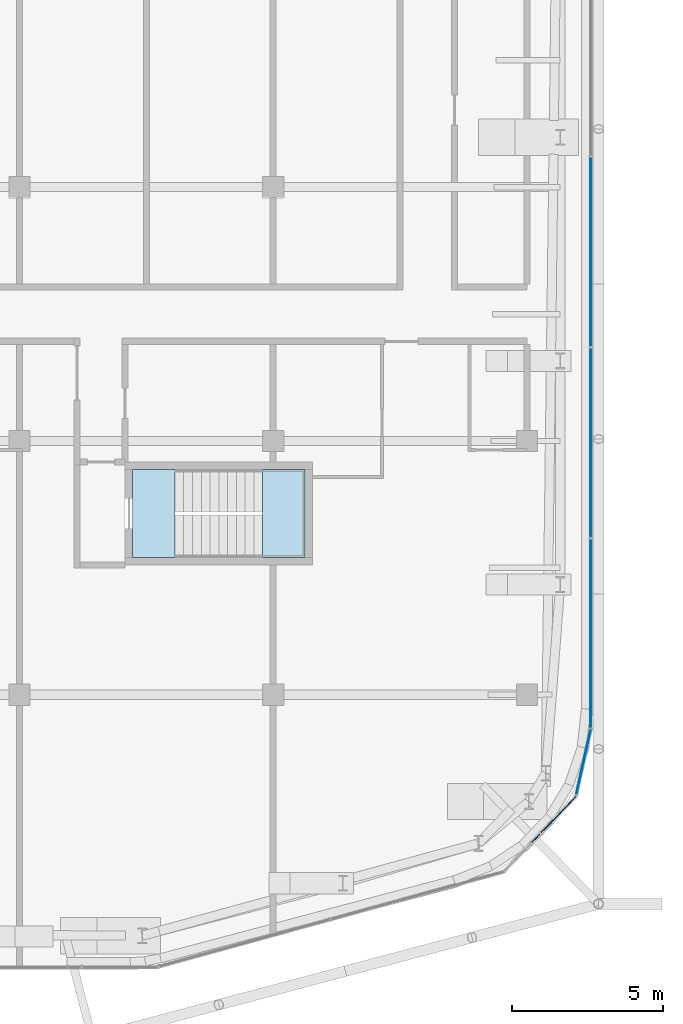
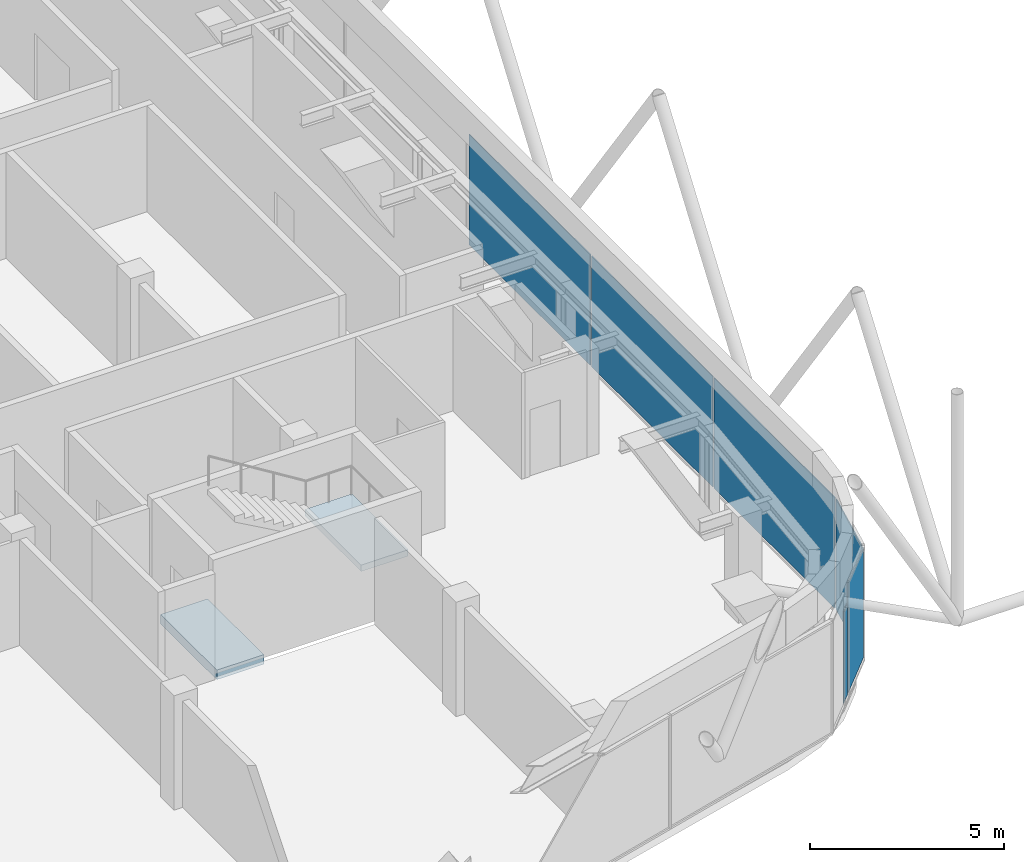
# One storey, part 16 of 25: 6 plates, 2 slabs, 5 elements without a shape of their own.
"""IFC4 building model written with IfcOpenShell, lengths in metres."""

from ifc_helpers import new_model, si_unit, direction, frame, origin, origin_2d, place, context, subcontext, project, spatial, polyline, rectangle, outline, extrude, material, layer, layer_set, type_object, element, aggregate, save


model = new_model("IFC4")

# Units and contexts
model_context = context("Model", 3, precision=1e-05, world=origin(), true_north=direction((0.0, 1.0)))
body_context = subcontext(model_context, "Body", "Model", "MODEL_VIEW")
ifc_project = project(units=[si_unit("LENGTHUNIT", "METRE"), si_unit("AREAUNIT", "SQUARE_METRE"), si_unit("VOLUMEUNIT", "CUBIC_METRE"), si_unit("PLANEANGLEUNIT", "RADIAN"), si_unit("MASSUNIT", "GRAM", prefix="KILO")], contexts=[model_context])

# Site, building, storey
site_placement = place(None, origin())
site = spatial("IfcSite", under=ifc_project, at=site_placement, CompositionType="ELEMENT")
building_placement = place(site_placement, origin())
building = spatial("IfcBuilding", under=site, at=building_placement, Name="Marenta Gate Hotel Tower", CompositionType="ELEMENT")
storey_placement = place(building_placement, frame((0.0, 0.0, 277.699951171875)))
storey = spatial("IfcBuildingStorey", under=building, at=storey_placement, Name="L64", CompositionType="ELEMENT", Elevation=277.699951171875)

# Curtain wall, plate
ifc_material_1 = material(Name="Tinted insulated glass in bronze anodised frame", Category="glass")
ifc_layer_1 = layer(ifc_material_1, 0.1201171875)
ifc_layer_set_1 = layer_set([ifc_layer_1], Name="Tinted insulated glass in bronze anodised frame")
curtain_wall_type = type_object("IfcCurtainWallType", Name="Tower unitised curtain wall CW1", PredefinedType="NOTDEFINED", material=ifc_layer_set_1)
curtain_wall_1_placement = place(storey_placement, origin())
curtain_wall_1 = element("IfcCurtainWall", 1, at=curtain_wall_1_placement, inside=storey, type_object=curtain_wall_type, Name="CW1 run G17", PredefinedType="NOTDEFINED")
ifc_material_2 = material(Name="Tinted insulated glass", Category="glass")
ifc_layer_2 = layer(ifc_material_2, 0.028076171875)
ifc_layer_set_2 = layer_set([ifc_layer_2], Name="Tinted insulated glass")
plate_type = type_object("IfcPlateType", Name="Glass panel CW1 28 mm tinted insulated unit", PredefinedType="CURTAIN_PANEL", material=ifc_layer_set_2)
plate_1_placement = place(storey_placement, frame((21.292724609375, -29.94921875, 0.06005859375), z_axis=(0.0, 0.0, 1.0), x_axis=(0.692508866302, 0.721409363741, 0.0)))
plate_1 = element("IfcPlate", 2, at=plate_1_placement, type_object=plate_type, Name="CW1 panel 1.1", PredefinedType="CURTAIN_PANEL", context=body_context, shape_type="SweptSolid", body=[
    extrude(rectangle(XDim=0.393310546875, YDim=0.028076171875, at=origin_2d()), origin(), (0.0, 0.0, 1.0), 2.880615234375),
])
aggregate(curtain_wall_1, [plate_1])

curtain_wall_2_placement = place(storey_placement, origin())
curtain_wall_2 = element("IfcCurtainWall", 3, at=curtain_wall_2_placement, inside=storey, type_object=curtain_wall_type, Name="CW1 run G18", PredefinedType="NOTDEFINED")
plate_2_placement = place(storey_placement, frame((22.04541015625, -29.165283203125, 0.06005859375), z_axis=(0.0, 0.0, 1.0), x_axis=(0.692571762206, 0.721348982251, 0.0)))
plate_2 = element("IfcPlate", 4, at=plate_2_placement, type_object=plate_type, Name="CW1 panel 1.1", PredefinedType="CURTAIN_PANEL", context=body_context, shape_type="SweptSolid", body=[
    extrude(rectangle(XDim=1.66015625, YDim=0.028076171875, at=origin_2d()), origin(), (0.0, 0.0, 1.0), 3.47998046875),
])
aggregate(curtain_wall_2, [plate_2])

curtain_wall_3_placement = place(storey_placement, origin())
curtain_wall_3 = element("IfcCurtainWall", 5, at=curtain_wall_3_placement, inside=storey, type_object=curtain_wall_type, Name="CW1 run G19", PredefinedType="NOTDEFINED")
plate_3_placement = place(storey_placement, frame((22.873779296875, -27.42578125, 0.06005859375), z_axis=(0.0, 0.0, 1.0), x_axis=(0.216842096529, 0.97620669183, 0.0)))
plate_3 = element("IfcPlate", 6, at=plate_3_placement, type_object=plate_type, Name="CW1 panel 1.1", PredefinedType="CURTAIN_PANEL", context=body_context, shape_type="SweptSolid", body=[
    extrude(rectangle(XDim=2.216796875, YDim=0.028076171875, at=origin_2d()), origin(), (0.0, 0.0, 1.0), 3.47998046875),
])
aggregate(curtain_wall_3, [plate_3])

# Curtain wall, plates
curtain_wall_4_placement = place(storey_placement, origin())
curtain_wall_4 = element("IfcCurtainWall", 7, at=curtain_wall_4_placement, inside=storey, type_object=curtain_wall_type, Name="CW1 run G20", PredefinedType="NOTDEFINED")
plate_4_placement = place(storey_placement, frame((23.114013671875, -23.16748046875, 0.06005859375), z_axis=(0.0, 0.0, 1.0), x_axis=(0.0, 1.0, 0.0)))
plate_4 = element("IfcPlate", 8, at=plate_4_placement, type_object=plate_type, Name="CW1 panel 1.1", PredefinedType="CURTAIN_PANEL", context=body_context, shape_type="SweptSolid", body=[
    extrude(rectangle(XDim=6.232666015625, YDim=0.028076171875, at=origin_2d()), origin(), (0.0, 0.0, 1.0), 3.47998046875),
])
plate_5_placement = place(storey_placement, frame((23.114013671875, -16.85986328125, 0.06005859375), z_axis=(0.0, 0.0, 1.0), x_axis=(0.0, 1.0, 0.0)))
plate_5 = element("IfcPlate", 9, at=plate_5_placement, type_object=plate_type, Name="CW1 panel 2.1", PredefinedType="CURTAIN_PANEL", context=body_context, shape_type="SweptSolid", body=[
    extrude(rectangle(XDim=6.2626953125, YDim=0.028076171875, at=origin_2d()), origin(), (0.0, 0.0, 1.0), 3.47998046875),
])
plate_6_placement = place(storey_placement, frame((23.114013671875, -10.537353515625, 0.06005859375), z_axis=(0.0, 0.0, 1.0), x_axis=(0.0, 1.0, 0.0)))
plate_6 = element("IfcPlate", 10, at=plate_6_placement, type_object=plate_type, Name="CW1 panel 3.1", PredefinedType="CURTAIN_PANEL", context=body_context, shape_type="SweptSolid", body=[
    extrude(rectangle(XDim=6.2626953125, YDim=0.028076171875, at=origin_2d()), origin(), (0.0, 0.0, 1.0), 3.47998046875),
])
aggregate(curtain_wall_4, [plate_4, plate_5, plate_6])

# Stair, slab
ifc_material_3 = material(Name="Concrete C40", Category="concrete")
stair_type = type_object("IfcStairType", Name="Remote exit stair 1400 wide", PredefinedType="HALF_TURN_STAIR", material=ifc_material_3)
stair_placement = place(storey_placement, origin())
stair = element("IfcStair", 11, at=stair_placement, inside=storey, type_object=stair_type, Name="Exit stair RS-Z4-1", PredefinedType="HALF_TURN_STAIR")
ifc_material_4 = material(Name="Concrete C40", Category="concrete")
ifc_layer_3 = layer(ifc_material_4, 0.199951171875)
ifc_layer_set_3 = layer_set([ifc_layer_3], Name="Concrete C40")
slab_type_1 = type_object("IfcSlabType", Name="Remote stair landing 200", PredefinedType="LANDING", material=ifc_layer_set_3)
slab_1_placement = place(storey_placement, frame((0.0, 0.0, 1.60009765625)))
slab_1 = element("IfcSlab", 12, at=slab_1_placement, type_object=slab_type_1, Name="RL-200 RS-Z4-1 landing 1", PredefinedType="LANDING", context=body_context, shape_type="SweptSolid", body=[
    extrude(outline(polyline([(12.25, -20.64990234375), (13.64990234375, -20.64990234375), (13.64990234375, -17.75), (12.25, -17.75), (12.25, -20.64990234375)])), origin(), (0.0, 0.0, 1.0), 0.199951171875),
])
aggregate(stair, [slab_1])

# Slab
ifc_material_5 = material(Name="Concrete C40", Category="concrete")
ifc_layer_4 = layer(ifc_material_5, 0.300048828125)
ifc_layer_set_4 = layer_set([ifc_layer_4], Name="Concrete C40")
slab_type_2 = type_object("IfcSlabType", Name="Stair floor landing slab 300", PredefinedType="FLOOR", material=ifc_layer_set_4)
slab_2_placement = place(storey_placement, frame((0.0, 0.0, -0.300048828125)))
element("IfcSlab", 13, at=slab_2_placement, inside=storey, type_object=slab_type_2, Name="L64-RS-Z4-1-CL", PredefinedType="FLOOR", context=body_context, shape_type="SweptSolid", body=[
    extrude(outline(polyline([(9.35009765625, -20.64990234375), (9.35009765625, -17.75), (7.949951171875, -17.75), (7.949951171875, -20.64990234375), (9.35009765625, -20.64990234375)])), origin(), (0.0, 0.0, 1.0), 0.300048828125),
])

save(model, "model.ifc")
